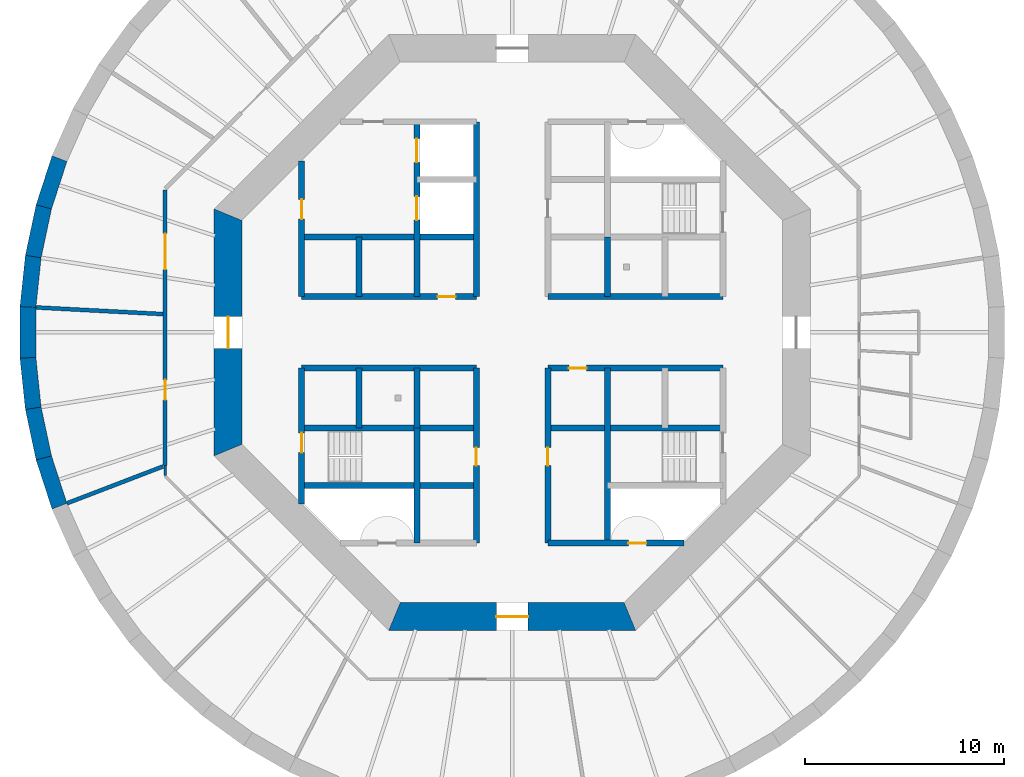
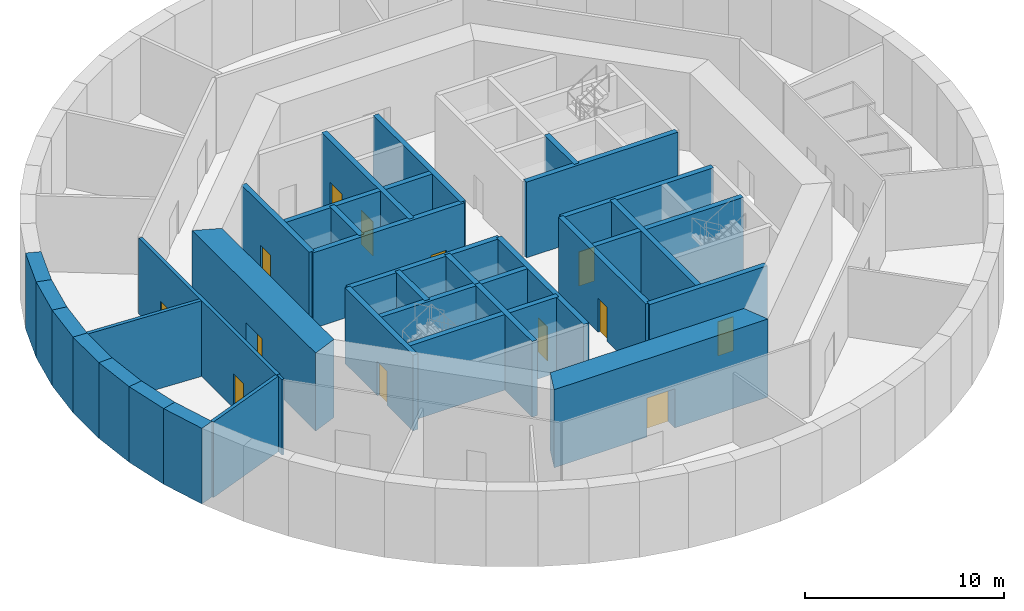
# One storey, part 3 of 7: 34 walls, 13 doors, 13 openings.
"""IFC4 building model written with IfcOpenShell, lengths in metres."""

from ifc_helpers import new_model, si_unit, direction, frame, frame_2d, origin, place, context, subcontext, project, spatial, polyline, rectangle, outline, extrude, material, layer, layer_set, type_object, element, fill, save


model = new_model("IFC4")

# Units and contexts
model_context = context("Model", 3, precision=1e-05, world=origin(), true_north=direction((0.0, 1.0)))
body_context = subcontext(model_context, "Body", "Model", "MODEL_VIEW")
ifc_project = project(units=[si_unit("LENGTHUNIT", "METRE"), si_unit("AREAUNIT", "SQUARE_METRE"), si_unit("VOLUMEUNIT", "CUBIC_METRE"), si_unit("PLANEANGLEUNIT", "RADIAN"), si_unit("MASSUNIT", "GRAM", prefix="KILO")], contexts=[model_context])

# Site, building, storey
site_placement = place(None, origin())
site = spatial("IfcSite", under=ifc_project, at=site_placement, CompositionType="ELEMENT")
building_placement = place(site_placement, origin())
building = spatial("IfcBuilding", under=site, at=building_placement, Name="Entoto Ring Tower", CompositionType="ELEMENT")
storey_placement = place(building_placement, frame((0.0, 0.0, -4.800048828125)))
storey = spatial("IfcBuildingStorey", under=building, at=storey_placement, Name="B1", CompositionType="ELEMENT", Elevation=-4.800048828125)

# Walls
ifc_material_1 = material(Name="Concrete C40/50", Category="concrete")
ifc_layer_1 = layer(ifc_material_1, 0.300048828125)
ifc_layer_set_1 = layer_set([ifc_layer_1], Name="Concrete C40/50")
wall_type_1 = type_object("IfcWallType", Name="Core enclosure wall 300 mm reinforced concrete", PredefinedType="SOLIDWALL", material=ifc_layer_set_1)
wall_1_placement = place(storey_placement, frame((94.800048828125, 69.39990234375, 0.0), z_axis=(0.0, 0.0, 1.0), x_axis=(0.0, 1.0, 0.0)))
element("IfcWall", 1, at=wall_1_placement, inside=storey, type_object=wall_type_1, Name="wall-B1-005", PredefinedType="SOLIDWALL", context=body_context, shape_type="SweptSolid", body=[
    extrude(rectangle(XDim=8.800048828125, YDim=0.300048828125, at=frame_2d((4.39990234375, 0.0))), origin(), (0.0, 0.0, 1.0), 4.650146484375),
])
wall_2_placement = place(storey_placement, frame((94.800048828125, 81.800048828125, 0.0), z_axis=(0.0, 0.0, 1.0), x_axis=(0.0, 1.0, 0.0)))
element("IfcWall", 2, at=wall_2_placement, inside=storey, type_object=wall_type_1, Name="wall-B1-007", PredefinedType="SOLIDWALL", context=body_context, shape_type="SweptSolid", body=[
    extrude(rectangle(XDim=3.0, YDim=0.300048828125, at=frame_2d((1.5, 0.0))), origin(), (0.0, 0.0, 1.0), 4.650146484375),
])

# Wall, opening, door
wall_3_placement = place(storey_placement, frame((91.800048828125, 69.39990234375, 0.0), z_axis=(0.0, 0.0, 1.0), x_axis=(0.0, 1.0, 0.0)))
wall_3 = element("IfcWall", 3, at=wall_3_placement, inside=storey, type_object=wall_type_1, Name="wall-B1-008", PredefinedType="SOLIDWALL", context=body_context, shape_type="SweptSolid", body=[
    extrude(rectangle(XDim=8.800048828125, YDim=0.300048828125, at=frame_2d((4.39990234375, 0.0))), origin(), (0.0, 0.0, 1.0), 4.650146484375),
])
opening_1_placement = place(wall_3_placement, frame((3.89990234375, 0.0, 0.0)))
opening_1 = element("IfcOpeningElement", 4, at=opening_1_placement, cuts=wall_3, Name="Opening K-06", PredefinedType="OPENING", context=body_context, shape_type="SweptSolid", body=[
    extrude(rectangle(XDim=0.89990234375, YDim=2.10009765625, at=frame_2d((0.449951171875, 1.050048828125))), frame((0.0, 0.16015625, 0.0), z_axis=(0.0, -1.0, 0.0), x_axis=(1.0, 0.0, 0.0)), (0.0, 0.0, 1.0), 0.320068359375),
])
ifc_material_2 = material(Name="Steel door leaf, fire rated", Category="steel")
ifc_layer_2 = layer(ifc_material_2, 0.050048828125)
ifc_layer_set_2 = layer_set([ifc_layer_2], Name="Steel door leaf, fire rated")
door_type_1 = type_object("IfcDoorType", Name="Core door 900 x 2100 single leaf", OperationType="NOTDEFINED", PredefinedType="DOOR", material=ifc_layer_set_2)
door_1_placement = place(opening_1_placement, frame((0.89990234375, 0.0, 0.0), z_axis=(0.0, 0.0, 1.0), x_axis=(-1.0, 0.0, 0.0)))
door_1 = element("IfcDoor", 5, at=door_1_placement, inside=storey, type_object=door_type_1, Name="Door K-06", OperationType="SINGLE_SWING_LEFT", OverallHeight=2.10009765625, OverallWidth=0.89990234375, PredefinedType="DOOR", context=body_context, shape_type="SweptSolid", body=[
    extrude(rectangle(XDim=0.89990234375, YDim=2.10009765625, at=frame_2d((0.449951171875, 1.050048828125))), frame((0.0, 0.02490234375, 0.0), z_axis=(0.0, -1.0, 0.0), x_axis=(1.0, 0.0, 0.0)), (0.0, 0.0, 1.0), 0.050048828125),
])
fill(opening_1, door_1)

wall_4_placement = place(storey_placement, frame((88.199951171875, 69.39990234375, 0.0), z_axis=(0.0, 0.0, 1.0), x_axis=(0.0, 1.0, 0.0)))
wall_4 = element("IfcWall", 6, at=wall_4_placement, inside=storey, type_object=wall_type_1, Name="wall-B1-010", PredefinedType="SOLIDWALL", context=body_context, shape_type="SweptSolid", body=[
    extrude(rectangle(XDim=8.800048828125, YDim=0.300048828125, at=frame_2d((4.39990234375, 0.0))), origin(), (0.0, 0.0, 1.0), 4.650146484375),
])
opening_2_placement = place(wall_4_placement, frame((3.89990234375, 0.0, 0.0)))
opening_2 = element("IfcOpeningElement", 7, at=opening_2_placement, cuts=wall_4, Name="Opening K-07", PredefinedType="OPENING", context=body_context, shape_type="SweptSolid", body=[
    extrude(rectangle(XDim=0.89990234375, YDim=2.10009765625, at=frame_2d((0.449951171875, 1.050048828125))), frame((0.0, 0.16015625, 0.0), z_axis=(0.0, -1.0, 0.0), x_axis=(1.0, 0.0, 0.0)), (0.0, 0.0, 1.0), 0.320068359375),
])
door_2_placement = place(opening_2_placement, origin())
door_2 = element("IfcDoor", 8, at=door_2_placement, inside=storey, type_object=door_type_1, Name="Door K-07", OperationType="SINGLE_SWING_RIGHT", OverallHeight=2.10009765625, OverallWidth=0.89990234375, PredefinedType="DOOR", context=body_context, shape_type="SweptSolid", body=[
    extrude(rectangle(XDim=0.89990234375, YDim=2.10009765625, at=frame_2d((0.449951171875, 1.050048828125))), frame((0.0, 0.02490234375, 0.0), z_axis=(0.0, -1.0, 0.0), x_axis=(1.0, 0.0, 0.0)), (0.0, 0.0, 1.0), 0.050048828125),
])
fill(opening_2, door_2)

# Walls
wall_5_placement = place(storey_placement, frame((88.199951171875, 81.800048828125, 0.0), z_axis=(0.0, 0.0, 1.0), x_axis=(0.0, 1.0, 0.0)))
element("IfcWall", 9, at=wall_5_placement, inside=storey, type_object=wall_type_1, Name="wall-B1-011", PredefinedType="SOLIDWALL", context=body_context, shape_type="SweptSolid", body=[
    extrude(rectangle(XDim=8.800048828125, YDim=0.300048828125, at=frame_2d((4.39990234375, 0.0))), origin(), (0.0, 0.0, 1.0), 4.650146484375),
])
wall_6_placement = place(storey_placement, frame((85.199951171875, 69.39990234375, 0.0), z_axis=(0.0, 0.0, 1.0), x_axis=(0.0, 1.0, 0.0)))
element("IfcWall", 10, at=wall_6_placement, inside=storey, type_object=wall_type_1, Name="wall-B1-012", PredefinedType="SOLIDWALL", context=body_context, shape_type="SweptSolid", body=[
    extrude(rectangle(XDim=5.800048828125, YDim=0.300048828125, at=frame_2d((2.89990234375, 0.0))), origin(), (0.0, 0.0, 1.0), 4.650146484375),
])

# Wall, openings, doors
wall_7_placement = place(storey_placement, frame((85.199951171875, 81.800048828125, 0.0), z_axis=(0.0, 0.0, 1.0), x_axis=(0.0, 1.0, 0.0)))
wall_7 = element("IfcWall", 11, at=wall_7_placement, inside=storey, type_object=wall_type_1, Name="wall-B1-013", PredefinedType="SOLIDWALL", context=body_context, shape_type="SweptSolid", body=[
    extrude(rectangle(XDim=8.800048828125, YDim=0.300048828125, at=frame_2d((4.39990234375, 0.0))), origin(), (0.0, 0.0, 1.0), 4.650146484375),
])
opening_3_placement = place(wall_7_placement, frame((3.85009765625, 0.0, 0.0)))
opening_3 = element("IfcOpeningElement", 12, at=opening_3_placement, cuts=wall_7, Name="Opening LD", PredefinedType="OPENING", context=body_context, shape_type="SweptSolid", body=[
    extrude(rectangle(XDim=1.199951171875, YDim=2.10009765625, at=frame_2d((0.60009765625, 1.050048828125))), frame((0.0, 0.16015625, 0.0), z_axis=(0.0, -1.0, 0.0), x_axis=(1.0, 0.0, 0.0)), (0.0, 0.0, 1.0), 0.320068359375),
])
opening_4_placement = place(wall_7_placement, frame((6.75, 0.0, 0.0)))
opening_4 = element("IfcOpeningElement", 13, at=opening_4_placement, cuts=wall_7, Name="Opening LD", PredefinedType="OPENING", context=body_context, shape_type="SweptSolid", body=[
    extrude(rectangle(XDim=1.199951171875, YDim=2.10009765625, at=frame_2d((0.60009765625, 1.050048828125))), frame((0.0, 0.16015625, 0.0), z_axis=(0.0, -1.0, 0.0), x_axis=(1.0, 0.0, 0.0)), (0.0, 0.0, 1.0), 0.320068359375),
])
ifc_material_3 = material(Name="Steel and glass door leaf", Category="steel")
ifc_layer_3 = layer(ifc_material_3, 0.050048828125)
ifc_layer_set_3 = layer_set([ifc_layer_3], Name="Steel and glass door leaf")
door_type_2 = type_object("IfcDoorType", Name="Landing door 1200 x 2100 sliding", OperationType="DOUBLE_DOOR_SLIDING", PredefinedType="DOOR", material=ifc_layer_set_3)
door_3_placement = place(opening_3_placement, origin())
door_3 = element("IfcDoor", 14, at=door_3_placement, inside=storey, type_object=door_type_2, Name="Landing door FF1", OperationType="SLIDING_TO_RIGHT", OverallHeight=2.10009765625, OverallWidth=1.199951171875, PredefinedType="DOOR", context=body_context, shape_type="SweptSolid", body=[
    extrude(rectangle(XDim=1.199951171875, YDim=2.10009765625, at=frame_2d((0.60009765625, 1.050048828125))), frame((0.0, 0.02490234375, 0.0), z_axis=(0.0, -1.0, 0.0), x_axis=(1.0, 0.0, 0.0)), (0.0, 0.0, 1.0), 0.050048828125),
])
fill(opening_3, door_3)
door_4_placement = place(opening_4_placement, origin())
door_4 = element("IfcDoor", 15, at=door_4_placement, inside=storey, type_object=door_type_2, Name="Landing door FF2", OperationType="SLIDING_TO_RIGHT", OverallHeight=2.10009765625, OverallWidth=1.199951171875, PredefinedType="DOOR", context=body_context, shape_type="SweptSolid", body=[
    extrude(rectangle(XDim=1.199951171875, YDim=2.10009765625, at=frame_2d((0.60009765625, 1.050048828125))), frame((0.0, 0.02490234375, 0.0), z_axis=(0.0, -1.0, 0.0), x_axis=(1.0, 0.0, 0.0)), (0.0, 0.0, 1.0), 0.050048828125),
])
fill(opening_4, door_4)

# Walls
for number, where, z_axis, x_axis, name in (
    (16, (85.199951171875, 75.199951171875, 0.0), (0.0, 0.0, 1.0), (0.0, 1.0, 0.0), "wall-B1-014"),
    (17, (82.300048828125, 75.199951171875, 0.0), (0.0, 0.0, 1.0), (0.0, 1.0, 0.0), "wall-B1-015"),
    (18, (82.300048828125, 81.800048828125, 0.0), (0.0, 0.0, 1.0), (0.0, 1.0, 0.0), "wall-B1-016"),
):
    element("IfcWall", number, at=place(storey_placement, frame(where, z_axis=z_axis, x_axis=x_axis)), inside=storey, type_object=wall_type_1, Name=name, PredefinedType="SOLIDWALL", context=body_context, shape_type="SweptSolid", body=[
        extrude(rectangle(XDim=3.0, YDim=0.300048828125, at=frame_2d((1.5, 0.0))), origin(), (0.0, 0.0, 1.0), 4.650146484375),
    ])

# Wall, opening, door
wall_8_placement = place(storey_placement, frame((79.39990234375, 71.36669921875, 0.0), z_axis=(0.0, 0.0, 1.0), x_axis=(0.0, 1.0, 0.0)))
wall_8 = element("IfcWall", 19, at=wall_8_placement, inside=storey, type_object=wall_type_1, Name="wall-B1-017", PredefinedType="SOLIDWALL", context=body_context, shape_type="SweptSolid", body=[
    extrude(rectangle(XDim=6.833251953125, YDim=0.300048828125, at=frame_2d((3.41650390625, 0.0))), origin(), (0.0, 0.0, 1.0), 4.650146484375),
])
opening_5_placement = place(wall_8_placement, frame((2.583251953125, 0.0, 0.0)))
opening_5 = element("IfcOpeningElement", 20, at=opening_5_placement, cuts=wall_8, Name="Opening K-43", PredefinedType="OPENING", context=body_context, shape_type="SweptSolid", body=[
    extrude(rectangle(XDim=1.0, YDim=2.10009765625, at=frame_2d((0.5, 1.050048828125))), frame((0.0, 0.16015625, 0.0), z_axis=(0.0, -1.0, 0.0), x_axis=(1.0, 0.0, 0.0)), (0.0, 0.0, 1.0), 0.320068359375),
])
ifc_material_4 = material(Name="Steel door leaf, fire rated", Category="steel")
ifc_layer_4 = layer(ifc_material_4, 0.050048828125)
ifc_layer_set_4 = layer_set([ifc_layer_4], Name="Steel door leaf, fire rated")
door_type_3 = type_object("IfcDoorType", Name="Fire door FD60 1000 x 2100 single leaf", OperationType="NOTDEFINED", PredefinedType="DOOR", material=ifc_layer_set_4)
door_5_placement = place(opening_5_placement, frame((1.0, 0.0, 0.0), z_axis=(0.0, 0.0, 1.0), x_axis=(-1.0, 0.0, 0.0)))
door_5 = element("IfcDoor", 21, at=door_5_placement, inside=storey, type_object=door_type_3, Name="Door K-43", OperationType="SINGLE_SWING_LEFT", OverallHeight=2.10009765625, OverallWidth=1.0, PredefinedType="DOOR", context=body_context, shape_type="SweptSolid", body=[
    extrude(rectangle(XDim=1.0, YDim=2.10009765625, at=frame_2d((0.5, 1.050048828125))), frame((0.0, 0.02490234375, 0.0), z_axis=(0.0, -1.0, 0.0), x_axis=(1.0, 0.0, 0.0)), (0.0, 0.0, 1.0), 0.050048828125),
])
fill(opening_5, door_5)

wall_9_placement = place(storey_placement, frame((79.39990234375, 81.800048828125, 0.0), z_axis=(0.0, 0.0, 1.0), x_axis=(0.0, 1.0, 0.0)))
wall_9 = element("IfcWall", 22, at=wall_9_placement, inside=storey, type_object=wall_type_1, Name="wall-B1-018", PredefinedType="SOLIDWALL", context=body_context, shape_type="SweptSolid", body=[
    extrude(rectangle(XDim=6.833251953125, YDim=0.300048828125, at=frame_2d((3.41650390625, 0.0))), origin(), (0.0, 0.0, 1.0), 4.650146484375),
])
opening_6_placement = place(wall_9_placement, frame((3.89990234375, 0.0, 0.0)))
opening_6 = element("IfcOpeningElement", 23, at=opening_6_placement, cuts=wall_9, Name="Opening K-55", PredefinedType="OPENING", context=body_context, shape_type="SweptSolid", body=[
    extrude(rectangle(XDim=1.0, YDim=2.10009765625, at=frame_2d((0.5, 1.050048828125))), frame((0.0, 0.16015625, 0.0), z_axis=(0.0, -1.0, 0.0), x_axis=(1.0, 0.0, 0.0)), (0.0, 0.0, 1.0), 0.320068359375),
])
door_6_placement = place(opening_6_placement, frame((1.0, 0.0, 0.0), z_axis=(0.0, 0.0, 1.0), x_axis=(-1.0, 0.0, 0.0)))
door_6 = element("IfcDoor", 24, at=door_6_placement, inside=storey, type_object=door_type_3, Name="Door K-55", OperationType="SINGLE_SWING_LEFT", OverallHeight=2.10009765625, OverallWidth=1.0, PredefinedType="DOOR", context=body_context, shape_type="SweptSolid", body=[
    extrude(rectangle(XDim=1.0, YDim=2.10009765625, at=frame_2d((0.5, 1.050048828125))), frame((0.0, 0.02490234375, 0.0), z_axis=(0.0, -1.0, 0.0), x_axis=(1.0, 0.0, 0.0)), (0.0, 0.0, 1.0), 0.050048828125),
])
fill(opening_6, door_6)

wall_10_placement = place(storey_placement, frame((91.800048828125, 69.39990234375, 0.0), z_axis=(0.0, 0.0, 1.0), x_axis=(1.0, 0.0, 0.0)))
wall_10 = element("IfcWall", 25, at=wall_10_placement, inside=storey, type_object=wall_type_1, Name="wall-B1-020", PredefinedType="SOLIDWALL", context=body_context, shape_type="SweptSolid", body=[
    extrude(rectangle(XDim=6.833251953125, YDim=0.300048828125, at=frame_2d((3.41650390625, 0.0))), origin(), (0.0, 0.0, 1.0), 4.650146484375),
])
opening_7_placement = place(wall_10_placement, frame((4.050048828125, 0.0, 0.0)))
opening_7 = element("IfcOpeningElement", 26, at=opening_7_placement, cuts=wall_10, Name="Opening K-53", PredefinedType="OPENING", context=body_context, shape_type="SweptSolid", body=[
    extrude(rectangle(XDim=0.89990234375, YDim=2.10009765625, at=frame_2d((0.449951171875, 1.050048828125))), frame((0.0, 0.16015625, 0.0), z_axis=(0.0, -1.0, 0.0), x_axis=(1.0, 0.0, 0.0)), (0.0, 0.0, 1.0), 0.320068359375),
])
ifc_material_5 = material(Name="Steel door leaf, fire rated", Category="steel")
ifc_layer_5 = layer(ifc_material_5, 0.050048828125)
ifc_layer_set_5 = layer_set([ifc_layer_5], Name="Steel door leaf, fire rated")
door_type_4 = type_object("IfcDoorType", Name="Riser door FD60 900 x 2100 single leaf", OperationType="NOTDEFINED", PredefinedType="DOOR", material=ifc_layer_set_5)
door_7_placement = place(opening_7_placement, origin())
door_7 = element("IfcDoor", 27, at=door_7_placement, inside=storey, type_object=door_type_4, Name="Door K-53", OperationType="SINGLE_SWING_LEFT", OverallHeight=2.10009765625, OverallWidth=0.89990234375, PredefinedType="DOOR", context=body_context, shape_type="SweptSolid", body=[
    extrude(rectangle(XDim=0.89990234375, YDim=2.10009765625, at=frame_2d((0.449951171875, 1.050048828125))), frame((0.0, 0.02490234375, 0.0), z_axis=(0.0, -1.0, 0.0), x_axis=(1.0, 0.0, 0.0)), (0.0, 0.0, 1.0), 0.050048828125),
])
fill(opening_7, door_7)

# Walls
for number, where, z_axis, x_axis, name in (
    (28, (79.39990234375, 72.300048828125, 0.0), (0.0, 0.0, 1.0), (1.0, 0.0, 0.0), "wall-B1-021"),
    (29, (79.39990234375, 75.199951171875, 0.0), (0.0, 0.0, 1.0), (1.0, 0.0, 0.0), "wall-B1-023"),
    (30, (91.800048828125, 75.199951171875, 0.0), (0.0, 0.0, 1.0), (1.0, 0.0, 0.0), "wall-B1-024"),
    (31, (79.39990234375, 78.199951171875, 0.0), (0.0, 0.0, 1.0), (1.0, 0.0, 0.0), "wall-B1-025"),
):
    element("IfcWall", number, at=place(storey_placement, frame(where, z_axis=z_axis, x_axis=x_axis)), inside=storey, type_object=wall_type_1, Name=name, PredefinedType="SOLIDWALL", context=body_context, shape_type="SweptSolid", body=[
        extrude(rectangle(XDim=8.800048828125, YDim=0.300048828125, at=frame_2d((4.39990234375, 0.0))), origin(), (0.0, 0.0, 1.0), 4.650146484375),
    ])

# Wall, opening, door
wall_11_placement = place(storey_placement, frame((91.800048828125, 78.199951171875, 0.0), z_axis=(0.0, 0.0, 1.0), x_axis=(1.0, 0.0, 0.0)))
wall_11 = element("IfcWall", 32, at=wall_11_placement, inside=storey, type_object=wall_type_1, Name="wall-B1-026", PredefinedType="SOLIDWALL", context=body_context, shape_type="SweptSolid", body=[
    extrude(rectangle(XDim=8.800048828125, YDim=0.300048828125, at=frame_2d((4.39990234375, 0.0))), origin(), (0.0, 0.0, 1.0), 4.650146484375),
])
opening_8_placement = place(wall_11_placement, frame((1.050048828125, 0.0, 0.0)))
opening_8 = element("IfcOpeningElement", 33, at=opening_8_placement, cuts=wall_11, Name="Opening K-09", PredefinedType="OPENING", context=body_context, shape_type="SweptSolid", body=[
    extrude(rectangle(XDim=0.89990234375, YDim=2.10009765625, at=frame_2d((0.449951171875, 1.050048828125))), frame((0.0, 0.16015625, 0.0), z_axis=(0.0, -1.0, 0.0), x_axis=(1.0, 0.0, 0.0)), (0.0, 0.0, 1.0), 0.320068359375),
])
door_8_placement = place(opening_8_placement, frame((0.89990234375, 0.0, 0.0), z_axis=(0.0, 0.0, 1.0), x_axis=(-1.0, 0.0, 0.0)))
door_8 = element("IfcDoor", 34, at=door_8_placement, inside=storey, type_object=door_type_1, Name="Door K-09", OperationType="SINGLE_SWING_RIGHT", OverallHeight=2.10009765625, OverallWidth=0.89990234375, PredefinedType="DOOR", context=body_context, shape_type="SweptSolid", body=[
    extrude(rectangle(XDim=0.89990234375, YDim=2.10009765625, at=frame_2d((0.449951171875, 1.050048828125))), frame((0.0, 0.02490234375, 0.0), z_axis=(0.0, -1.0, 0.0), x_axis=(1.0, 0.0, 0.0)), (0.0, 0.0, 1.0), 0.050048828125),
])
fill(opening_8, door_8)

wall_12_placement = place(storey_placement, frame((79.39990234375, 81.800048828125, 0.0), z_axis=(0.0, 0.0, 1.0), x_axis=(1.0, 0.0, 0.0)))
wall_12 = element("IfcWall", 35, at=wall_12_placement, inside=storey, type_object=wall_type_1, Name="wall-B1-027", PredefinedType="SOLIDWALL", context=body_context, shape_type="SweptSolid", body=[
    extrude(rectangle(XDim=8.800048828125, YDim=0.300048828125, at=frame_2d((4.39990234375, 0.0))), origin(), (0.0, 0.0, 1.0), 4.650146484375),
])
opening_9_placement = place(wall_12_placement, frame((6.85009765625, 0.0, 0.0)))
opening_9 = element("IfcOpeningElement", 36, at=opening_9_placement, cuts=wall_12, Name="Opening K-08", PredefinedType="OPENING", context=body_context, shape_type="SweptSolid", body=[
    extrude(rectangle(XDim=0.89990234375, YDim=2.10009765625, at=frame_2d((0.449951171875, 1.050048828125))), frame((0.0, 0.16015625, 0.0), z_axis=(0.0, -1.0, 0.0), x_axis=(1.0, 0.0, 0.0)), (0.0, 0.0, 1.0), 0.320068359375),
])
door_9_placement = place(opening_9_placement, frame((0.89990234375, 0.0, 0.0), z_axis=(0.0, 0.0, 1.0), x_axis=(-1.0, 0.0, 0.0)))
door_9 = element("IfcDoor", 37, at=door_9_placement, inside=storey, type_object=door_type_1, Name="Door K-08", OperationType="SINGLE_SWING_RIGHT", OverallHeight=2.10009765625, OverallWidth=0.89990234375, PredefinedType="DOOR", context=body_context, shape_type="SweptSolid", body=[
    extrude(rectangle(XDim=0.89990234375, YDim=2.10009765625, at=frame_2d((0.449951171875, 1.050048828125))), frame((0.0, 0.02490234375, 0.0), z_axis=(0.0, -1.0, 0.0), x_axis=(1.0, 0.0, 0.0)), (0.0, 0.0, 1.0), 0.050048828125),
])
fill(opening_9, door_9)

# Walls
for number, where, z_axis, x_axis, name in (
    (38, (91.800048828125, 81.800048828125, 0.0), (0.0, 0.0, 1.0), (1.0, 0.0, 0.0), "wall-B1-028"),
    (39, (79.39990234375, 84.800048828125, 0.0), (0.0, 0.0, 1.0), (1.0, 0.0, 0.0), "wall-B1-029"),
):
    element("IfcWall", number, at=place(storey_placement, frame(where, z_axis=z_axis, x_axis=x_axis)), inside=storey, type_object=wall_type_1, Name=name, PredefinedType="SOLIDWALL", context=body_context, shape_type="SweptSolid", body=[
        extrude(rectangle(XDim=8.800048828125, YDim=0.300048828125, at=frame_2d((4.39990234375, 0.0))), origin(), (0.0, 0.0, 1.0), 4.650146484375),
    ])

# Wall, opening, door
ifc_material_6 = material(Name="Concrete C60/75", Category="concrete")
ifc_layer_6 = layer(ifc_material_6, 1.39990234375)
ifc_layer_set_6 = layer_set([ifc_layer_6], Name="Concrete C60/75")
wall_type_2 = type_object("IfcWallType", Name="Core shear wall 1400 mm reinforced concrete C60/75", PredefinedType="SHEAR", material=ifc_layer_set_6)
wall_13_placement = place(storey_placement, frame((75.699951171875, 85.92333984375, 0.0), z_axis=(0.0, 0.0, 1.0), x_axis=(0.0, -1.0, 0.0)))
wall_13 = element("IfcWall", 40, at=wall_13_placement, inside=storey, type_object=wall_type_2, Name="wall-B1-core-4", PredefinedType="SHEAR", context=body_context, shape_type="SweptSolid", body=[
    extrude(outline(polyline([(-0.2900390625, -0.699951171875), (12.13671875, -0.699951171875), (11.556640625, 0.699951171875), (0.2900390625, 0.699951171875), (-0.2900390625, -0.699951171875)])), origin(), (0.0, 0.0, 1.0), 4.800048828125),
])
opening_10_placement = place(wall_13_placement, frame((5.123291015625, 0.0, 0.0)))
opening_10 = element("IfcOpeningElement", 41, at=opening_10_placement, cuts=wall_13, Name="Opening K-03", PredefinedType="OPENING", context=body_context, shape_type="SweptSolid", body=[
    extrude(rectangle(XDim=1.60009765625, YDim=2.39990234375, at=frame_2d((0.800048828125, 1.199951171875))), frame((0.0, 0.7099609375, 0.0), z_axis=(0.0, -1.0, 0.0), x_axis=(1.0, 0.0, 0.0)), (0.0, 0.0, 1.0), 1.419921875),
])
ifc_material_7 = material(Name="Steel door leaf, fire rated", Category="steel")
ifc_layer_7 = layer(ifc_material_7, 0.050048828125)
ifc_layer_set_7 = layer_set([ifc_layer_7], Name="Steel door leaf, fire rated")
door_type_5 = type_object("IfcDoorType", Name="Entrance door FD60 1600 x 2400 double leaf", OperationType="DOUBLE_DOOR_SINGLE_SWING", PredefinedType="DOOR", material=ifc_layer_set_7)
door_10_placement = place(opening_10_placement, origin())
door_10 = element("IfcDoor", 42, at=door_10_placement, inside=storey, type_object=door_type_5, Name="Entrance door K-03", OperationType="DOUBLE_DOOR_SINGLE_SWING", OverallHeight=2.39990234375, OverallWidth=1.60009765625, PredefinedType="DOOR", context=body_context, shape_type="SweptSolid", body=[
    extrude(rectangle(XDim=1.60009765625, YDim=2.39990234375, at=frame_2d((0.800048828125, 1.199951171875))), frame((0.0, 0.02490234375, 0.0), z_axis=(0.0, -1.0, 0.0), x_axis=(1.0, 0.0, 0.0)), (0.0, 0.0, 1.0), 0.050048828125),
])
fill(opening_10, door_10)

wall_14_placement = place(storey_placement, frame((84.07666015625, 65.699951171875, 0.0), z_axis=(0.0, 0.0, 1.0), x_axis=(1.0, 0.0, 0.0)))
wall_14 = element("IfcWall", 43, at=wall_14_placement, inside=storey, type_object=wall_type_2, Name="wall-B1-core-6", PredefinedType="SHEAR", context=body_context, shape_type="SweptSolid", body=[
    extrude(outline(polyline([(-0.2900390625, -0.699951171875), (12.13671875, -0.699951171875), (11.556640625, 0.699951171875), (0.2900390625, 0.699951171875), (-0.2900390625, -0.699951171875)])), origin(), (0.0, 0.0, 1.0), 4.800048828125),
])
opening_11_placement = place(wall_14_placement, frame((5.123291015625, 0.0, 0.0)))
opening_11 = element("IfcOpeningElement", 44, at=opening_11_placement, cuts=wall_14, Name="Opening K-04", PredefinedType="OPENING", context=body_context, shape_type="SweptSolid", body=[
    extrude(rectangle(XDim=1.60009765625, YDim=2.39990234375, at=frame_2d((0.800048828125, 1.199951171875))), frame((0.0, 0.7099609375, 0.0), z_axis=(0.0, -1.0, 0.0), x_axis=(1.0, 0.0, 0.0)), (0.0, 0.0, 1.0), 1.419921875),
])
door_11_placement = place(opening_11_placement, origin())
door_11 = element("IfcDoor", 45, at=door_11_placement, inside=storey, type_object=door_type_5, Name="Entrance door K-04", OperationType="DOUBLE_DOOR_SINGLE_SWING", OverallHeight=2.39990234375, OverallWidth=1.60009765625, PredefinedType="DOOR", context=body_context, shape_type="SweptSolid", body=[
    extrude(rectangle(XDim=1.60009765625, YDim=2.39990234375, at=frame_2d((0.800048828125, 1.199951171875))), frame((0.0, 0.02490234375, 0.0), z_axis=(0.0, -1.0, 0.0), x_axis=(1.0, 0.0, 0.0)), (0.0, 0.0, 1.0), 0.050048828125),
])
fill(opening_11, door_11)

# Wall
ifc_material_8 = material(Name="Fire-resisting plasterboard on steel studs", Category="steel")
ifc_layer_8 = layer(ifc_material_8, 0.125)
ifc_layer_set_8 = layer_set([ifc_layer_8], Name="Fire-resisting plasterboard on steel studs")
wall_type_3 = type_object("IfcWallType", Name="Corridor wall 125 mm one-hour plasterboard on steel studs", PredefinedType="PARTITIONING", material=ifc_layer_set_8)
wall_15_placement = place(storey_placement, frame((72.53759765625, 72.810791015625, 0.0), z_axis=(0.0, 0.0, 1.0), x_axis=(0.0, 1.0, 0.0)))
element("IfcWall", 46, at=wall_15_placement, inside=storey, type_object=wall_type_3, Name="partition-B1-005", PredefinedType="PARTITIONING", context=body_context, shape_type="SweptSolid", body=[
    extrude(rectangle(XDim=0.486083984375, YDim=0.125, at=frame_2d((0.2431640625, 0.0))), origin(), (0.0, 0.0, 1.0), 4.650146484375),
])

# Wall, openings, doors
ifc_material_9 = material(Name="Concrete C20/25", Category="concrete")
ifc_layer_9 = layer(ifc_material_9, 0.199951171875)
ifc_layer_set_9 = layer_set([ifc_layer_9], Name="Concrete C20/25")
wall_type_4 = type_object("IfcWallType", Name="Plant room wall 200 mm two-hour concrete", PredefinedType="PARTITIONING", material=ifc_layer_set_9)
wall_16_placement = place(storey_placement, frame((72.53759765625, 73.296875, 0.0), z_axis=(0.0, 0.0, 1.0), x_axis=(0.0, 1.0, 0.0)))
wall_16 = element("IfcWall", 47, at=wall_16_placement, inside=storey, type_object=wall_type_4, Name="partition-B1-014", PredefinedType="PARTITIONING", context=body_context, shape_type="SweptSolid", body=[
    extrude(rectangle(XDim=13.86572265625, YDim=0.199951171875, at=frame_2d((6.932861328125, 0.0))), origin(), (0.0, 0.0, 1.0), 4.650146484375),
])
opening_12_placement = place(wall_16_placement, frame((9.87744140625, 0.0, 0.0)))
opening_12 = element("IfcOpeningElement", 48, at=opening_12_placement, cuts=wall_16, Name="Opening B01-D06", PredefinedType="OPENING", context=body_context, shape_type="SweptSolid", body=[
    extrude(rectangle(XDim=1.800048828125, YDim=2.10009765625, at=frame_2d((0.89990234375, 1.050048828125))), frame((0.0, 0.10986328125, 0.0), z_axis=(0.0, -1.0, 0.0), x_axis=(1.0, 0.0, 0.0)), (0.0, 0.0, 1.0), 0.219970703125),
])
opening_13_placement = place(wall_16_placement, frame((3.30908203125, 0.0, 0.0)))
opening_13 = element("IfcOpeningElement", 49, at=opening_13_placement, cuts=wall_16, Name="Opening B01-D07", PredefinedType="OPENING", context=body_context, shape_type="SweptSolid", body=[
    extrude(rectangle(XDim=1.0, YDim=2.10009765625, at=frame_2d((0.5, 1.050048828125))), frame((0.0, 0.10986328125, 0.0), z_axis=(0.0, -1.0, 0.0), x_axis=(1.0, 0.0, 0.0)), (0.0, 0.0, 1.0), 0.219970703125),
])
ifc_material_10 = material(Name="Fire-resisting steel door set", Category="steel")
door_type_6 = type_object("IfcDoorType", Name="Door 1000 x 2100 single leaf FD60 steel door", OperationType="NOTDEFINED", PredefinedType="DOOR", material=ifc_material_10)
door_12_placement = place(opening_13_placement, origin())
door_12 = element("IfcDoor", 50, at=door_12_placement, inside=storey, type_object=door_type_6, Name="Door B01-D07", OperationType="SINGLE_SWING_RIGHT", OverallHeight=2.10009765625, OverallWidth=1.0, PredefinedType="DOOR", context=body_context, shape_type="SweptSolid", body=[
    extrude(rectangle(XDim=1.0, YDim=2.10009765625, at=frame_2d((0.5, 1.050048828125))), frame((0.0, 0.02490234375, 0.0), z_axis=(0.0, -1.0, 0.0), x_axis=(1.0, 0.0, 0.0)), (0.0, 0.0, 1.0), 0.050048828125),
])
fill(opening_13, door_12)
ifc_material_11 = material(Name="Fire-resisting steel door set", Category="steel")
door_type_7 = type_object("IfcDoorType", Name="Door 1800 x 2100 double leaf FD60 steel door", OperationType="DOUBLE_DOOR_SINGLE_SWING", PredefinedType="DOOR", material=ifc_material_11)
door_13_placement = place(opening_12_placement, origin())
door_13 = element("IfcDoor", 51, at=door_13_placement, inside=storey, type_object=door_type_7, Name="Door B01-D06", OperationType="DOUBLE_DOOR_SINGLE_SWING", OverallHeight=2.10009765625, OverallWidth=1.800048828125, PredefinedType="DOOR", context=body_context, shape_type="SweptSolid", body=[
    extrude(rectangle(XDim=1.800048828125, YDim=2.10009765625, at=frame_2d((0.89990234375, 1.050048828125))), frame((0.0, 0.02490234375, 0.0), z_axis=(0.0, -1.0, 0.0), x_axis=(1.0, 0.0, 0.0)), (0.0, 0.0, 1.0), 0.050048828125),
])
fill(opening_12, door_13)

# Walls
wall_17_placement = place(storey_placement, frame((72.432373046875, 80.920654296875, 0.0), z_axis=(0.0, 0.0, 1.0), x_axis=(-0.998628866235, 0.052348710803, 0.0)))
element("IfcWall", 52, at=wall_17_placement, inside=storey, type_object=wall_type_4, Name="partition-B1-015", PredefinedType="PARTITIONING", context=body_context, shape_type="SweptSolid", body=[
    extrude(rectangle(XDim=6.4033203125, YDim=0.199951171875, at=frame_2d((3.20166015625, 0.0))), origin(), (0.0, 0.0, 1.0), 4.650146484375),
])
wall_18_placement = place(storey_placement, frame((67.5986328125, 71.40087890625, 0.0), z_axis=(0.0, 0.0, 1.0), x_axis=(0.933578413553, 0.3583731934, 0.0)))
element("IfcWall", 53, at=wall_18_placement, inside=storey, type_object=wall_type_4, Name="partition-B1-021", PredefinedType="PARTITIONING", context=body_context, shape_type="SweptSolid", body=[
    extrude(rectangle(XDim=5.18505859375, YDim=0.199951171875, at=frame_2d((2.592529296875, 0.0))), origin(), (0.0, 0.0, 1.0), 4.650146484375),
])
ifc_material_12 = material(Name="Concrete C40/50", Category="concrete")
ifc_layer_10 = layer(ifc_material_12, 0.800048828125)
ifc_layer_set_10 = layer_set([ifc_layer_10], Name="Concrete C40/50")
wall_type_5 = type_object("IfcWallType", Name="Retaining wall 800 mm upper basement", PredefinedType="SOLIDWALL", material=ifc_layer_set_10)
wall_19_placement = place(storey_placement, frame((67.22021484375, 88.744384765625, 0.0), z_axis=(0.0, 0.0, 1.0), x_axis=(-0.30904932669, -0.951046010282, 0.0)))
element("IfcWall", 54, at=wall_19_placement, inside=storey, type_object=wall_type_5, Name="Retaining wall B1 26", PredefinedType="SOLIDWALL", context=body_context, shape_type="SweptSolid", body=[
    extrude(outline(polyline([(-0.02099609375, -0.39990234375), (2.574951171875, -0.39990234375), (2.532958984375, 0.39990234375), (0.02099609375, 0.39990234375), (-0.02099609375, -0.39990234375)])), origin(), (0.0, 0.0, 1.0), 4.650146484375),
])
wall_20_placement = place(storey_placement, frame((66.430908203125, 86.3154296875, 0.0), z_axis=(0.0, 0.0, 1.0), x_axis=(-0.207903341306, -0.97814937544, 0.0)))
element("IfcWall", 55, at=wall_20_placement, inside=storey, type_object=wall_type_5, Name="Retaining wall B1 27", PredefinedType="SOLIDWALL", context=body_context, shape_type="SweptSolid", body=[
    extrude(outline(polyline([(-0.02099609375, -0.39990234375), (2.5751953125, -0.39990234375), (2.533203125, 0.39990234375), (0.02099609375, 0.39990234375), (-0.02099609375, -0.39990234375)])), origin(), (0.0, 0.0, 1.0), 4.650146484375),
])
wall_21_placement = place(storey_placement, frame((65.89990234375, 83.817138671875, 0.0), z_axis=(0.0, 0.0, 1.0), x_axis=(-0.104575313845, -0.994516970058, 0.0)))
element("IfcWall", 56, at=wall_21_placement, inside=storey, type_object=wall_type_5, Name="Retaining wall B1 28", PredefinedType="SOLIDWALL", context=body_context, shape_type="SweptSolid", body=[
    extrude(outline(polyline([(-0.02099609375, -0.39990234375), (2.574951171875, -0.39990234375), (2.532958984375, 0.39990234375), (0.02099609375, 0.39990234375), (-0.02099609375, -0.39990234375)])), origin(), (0.0, 0.0, 1.0), 4.650146484375),
])
wall_22_placement = place(storey_placement, frame((65.6328125, 81.277099609375, 0.0), z_axis=(0.0, 0.0, 1.0), x_axis=(0.0, -1.0, 0.0)))
element("IfcWall", 57, at=wall_22_placement, inside=storey, type_object=wall_type_5, Name="Retaining wall B1 29", PredefinedType="SOLIDWALL", context=body_context, shape_type="SweptSolid", body=[
    extrude(outline(polyline([(-0.02099609375, -0.39990234375), (2.5751953125, -0.39990234375), (2.533203125, 0.39990234375), (0.02099609375, 0.39990234375), (-0.02099609375, -0.39990234375)])), origin(), (0.0, 0.0, 1.0), 4.650146484375),
])
wall_23_placement = place(storey_placement, frame((65.6328125, 78.722900390625, 0.0), z_axis=(0.0, 0.0, 1.0), x_axis=(0.104575313845, -0.994516970058, 0.0)))
element("IfcWall", 58, at=wall_23_placement, inside=storey, type_object=wall_type_5, Name="Retaining wall B1 30", PredefinedType="SOLIDWALL", context=body_context, shape_type="SweptSolid", body=[
    extrude(outline(polyline([(-0.02099609375, -0.39990234375), (2.574951171875, -0.39990234375), (2.532958984375, 0.39990234375), (0.02099609375, 0.39990234375), (-0.02099609375, -0.39990234375)])), origin(), (0.0, 0.0, 1.0), 4.650146484375),
])
wall_24_placement = place(storey_placement, frame((65.89990234375, 76.182861328125, 0.0), z_axis=(0.0, 0.0, 1.0), x_axis=(0.207903341306, -0.97814937544, 0.0)))
element("IfcWall", 59, at=wall_24_placement, inside=storey, type_object=wall_type_5, Name="Retaining wall B1 31", PredefinedType="SOLIDWALL", context=body_context, shape_type="SweptSolid", body=[
    extrude(outline(polyline([(-0.02099609375, -0.39990234375), (2.5751953125, -0.39990234375), (2.533203125, 0.39990234375), (0.02099609375, 0.39990234375), (-0.02099609375, -0.39990234375)])), origin(), (0.0, 0.0, 1.0), 4.650146484375),
])
wall_25_placement = place(storey_placement, frame((66.430908203125, 73.6845703125, 0.0), z_axis=(0.0, 0.0, 1.0), x_axis=(0.30904932669, -0.951046010282, 0.0)))
element("IfcWall", 60, at=wall_25_placement, inside=storey, type_object=wall_type_5, Name="Retaining wall B1 32", PredefinedType="SOLIDWALL", context=body_context, shape_type="SweptSolid", body=[
    extrude(outline(polyline([(-0.02099609375, -0.39990234375), (2.574951171875, -0.39990234375), (2.532958984375, 0.39990234375), (0.02099609375, 0.39990234375), (-0.02099609375, -0.39990234375)])), origin(), (0.0, 0.0, 1.0), 4.650146484375),
])

save(model, "model.ifc")
